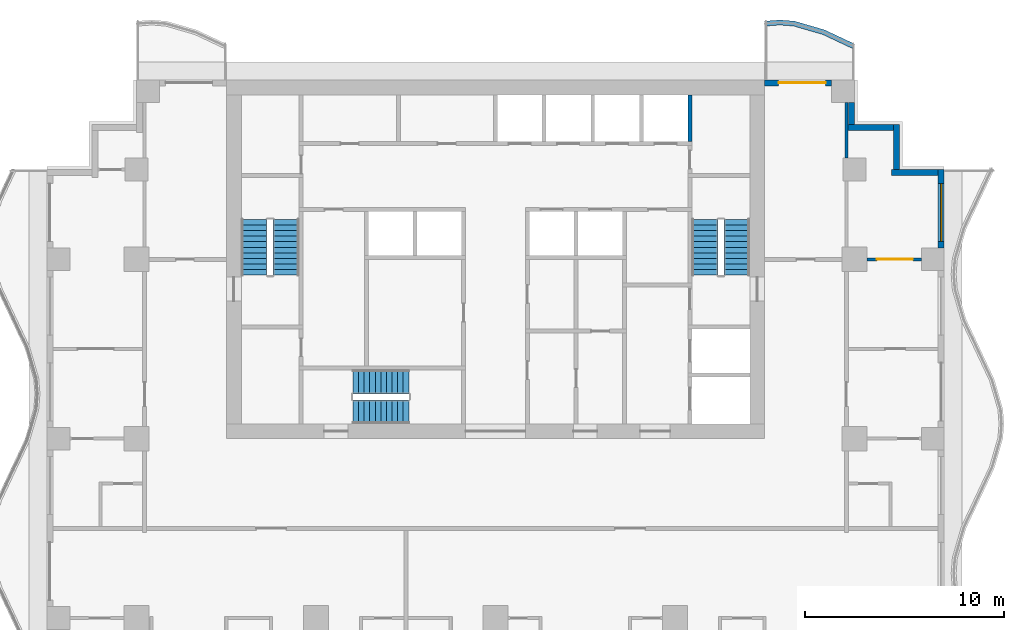
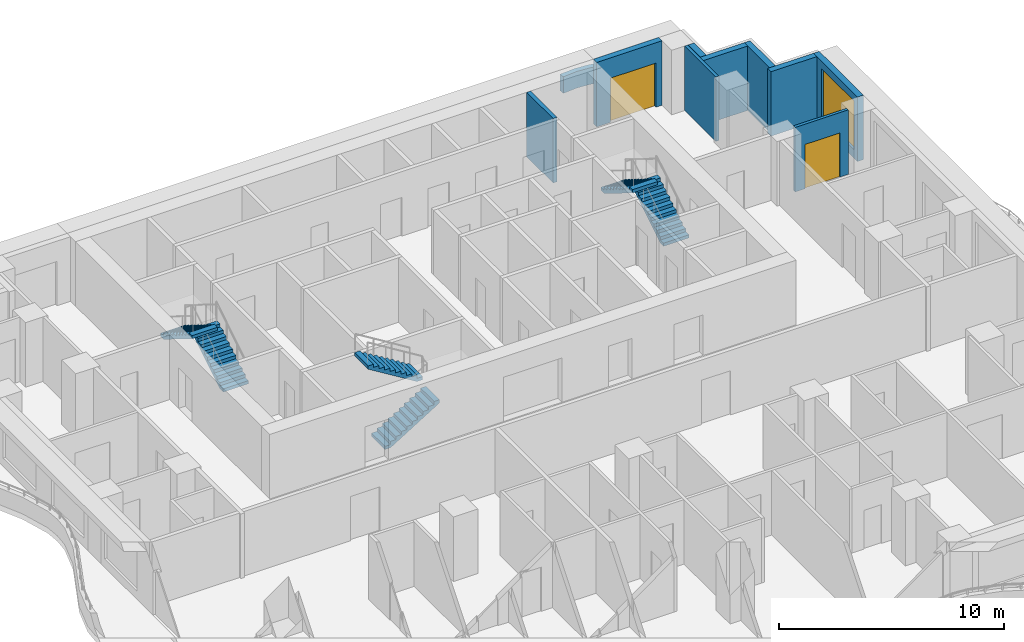
# One storey, part 6 of 10: 10 walls, 6 stair flights, 2 doors, 1 window, 3 openings, 3 elements without a shape of their own.
"""IFC4 building model written with IfcOpenShell, lengths in metres."""

from ifc_helpers import new_model, si_unit, direction, frame, frame_2d, origin, place, context, subcontext, project, spatial, polyline, rectangle, outline, extrude, material, layer, layer_set, type_object, element, fill, aggregate, save


model = new_model("IFC4")

# Units and contexts
model_context = context("Model", 3, precision=1e-05, world=origin(), true_north=direction((0.0, 1.0)))
body_context = subcontext(model_context, "Body", "Model", "MODEL_VIEW")
ifc_project = project(units=[si_unit("LENGTHUNIT", "METRE"), si_unit("AREAUNIT", "SQUARE_METRE"), si_unit("VOLUMEUNIT", "CUBIC_METRE"), si_unit("PLANEANGLEUNIT", "RADIAN"), si_unit("MASSUNIT", "GRAM", prefix="KILO")], contexts=[model_context])

# Site, building, storey
site_placement = place(None, origin())
site = spatial("IfcSite", under=ifc_project, at=site_placement, CompositionType="ELEMENT")
building_placement = place(site_placement, origin())
building = spatial("IfcBuilding", under=site, at=building_placement, Name="Orbiselva Terraces", CompositionType="ELEMENT")
storey_placement = place(building_placement, frame((0.0, 0.0, 144.0)))
storey = spatial("IfcBuildingStorey", under=building, at=storey_placement, Name="L36", CompositionType="ELEMENT", Elevation=144.0)

# Walls
ifc_material_1 = material(Name="Concrete C40/50", Category="concrete")
ifc_layer_1 = layer(ifc_material_1, 0.2)
ifc_layer_set_1 = layer_set([ifc_layer_1], Name="Concrete C40/50")
wall_type_1 = type_object("IfcWallType", Name="CORE-WALL-SHAFT-200", PredefinedType="PARTITIONING", material=ifc_layer_set_1)
wall_1_placement = place(storey_placement, frame((9.75, 19.4, 0.0), z_axis=(0.0, 0.0, 1.0), x_axis=(0.0, 1.0, 0.0)))
element("IfcWall", 1, at=wall_1_placement, inside=storey, type_object=wall_type_1, Name="L36 core wall 47", PredefinedType="PARTITIONING", context=body_context, shape_type="SweptSolid", body=[
    extrude(rectangle(XDim=2.35, YDim=0.2, at=frame_2d((1.175, 0.0))), origin(), (0.0, 0.0, 1.0), 3.5),
])
ifc_layer_2 = layer(ifc_material_1, 0.25)
ifc_layer_set_2 = layer_set([ifc_layer_2], Name="Concrete C40/50")
wall_type_2 = type_object("IfcWallType", Name="ENV-PLANTER-250x900", PredefinedType="USERDEFINED", material=ifc_layer_set_2)
wall_2_placement = place(storey_placement, origin())
element("IfcWall", 2, at=wall_2_placement, inside=storey, type_object=wall_type_2, Name="Balcony planter L36 NE", ObjectType="PLANTER", PredefinedType="USERDEFINED", context=body_context, shape_type="SweptSolid", body=[
    extrude(outline(polyline([(18.0, 24.3), (16.5, 25.005342), (15.0, 25.441268), (14.25, 25.5), (13.5, 25.441268), (13.519518, 25.192031), (14.25, 25.249235), (14.954886, 25.194035), (16.411382, 24.770753), (17.893617, 24.073764), (18.0, 24.3)])), origin(), (0.0, 0.0, 1.0), 0.9),
])

# Wall, opening, window
ifc_material_2 = material(Name="Terracotta cladding on masonry backing", Category="masonry")
ifc_layer_3 = layer(ifc_material_2, 0.3)
ifc_layer_set_3 = layer_set([ifc_layer_3], Name="Terracotta cladding on masonry backing")
wall_type_3 = type_object("IfcWallType", Name="ENV-WALL-TERRACOTTA-300", PredefinedType="SOLIDWALL", material=ifc_layer_set_3)
wall_3_placement = place(storey_placement, frame((22.35, 18.0, 0.0), z_axis=(0.0, 0.0, 1.0), x_axis=(0.0, -1.0, 0.0)))
wall_3 = element("IfcWall", 3, at=wall_3_placement, inside=storey, type_object=wall_type_3, Name="Facade wall L36 E", PredefinedType="SOLIDWALL", context=body_context, shape_type="SweptSolid", body=[
    extrude(rectangle(XDim=3.925, YDim=0.3, at=frame_2d((1.9625, 0.0))), origin(), (0.0, 0.0, 1.0), 3.5),
])
opening_1_placement = place(wall_3_placement, frame((0.7, 0.0, 0.45)))
opening_1 = element("IfcOpeningElement", 4, at=opening_1_placement, cuts=wall_3, Name="Opening WN8", PredefinedType="OPENING", context=body_context, shape_type="SweptSolid", body=[
    extrude(rectangle(XDim=2.9, YDim=2.65, at=frame_2d((1.45, 1.325))), frame((0.0, 0.16, 0.0), z_axis=(0.0, -1.0, 0.0), x_axis=(1.0, 0.0, 0.0)), (0.0, 0.0, 1.0), 0.32),
])
ifc_material_3 = material(Name="Clear low-e glazing in aluminium frame", Category="aluminium")
window_type = type_object("IfcWindowType", Name="WINDOW 2900 X 2650 S450", PartitioningType="TRIPLE_PANEL_VERTICAL", PredefinedType="WINDOW", material=ifc_material_3)
window_placement = place(opening_1_placement, origin())
window = element("IfcWindow", 5, at=window_placement, inside=storey, type_object=window_type, Name="Window L36 E", OverallHeight=2.65, OverallWidth=2.9, PartitioningType="SINGLE_PANEL", PredefinedType="WINDOW", context=body_context, shape_type="SweptSolid", body=[
    extrude(rectangle(XDim=2.9, YDim=2.65, at=frame_2d((1.45, 1.325))), frame((0.0, 0.03, 0.0), z_axis=(0.0, -1.0, 0.0), x_axis=(1.0, 0.0, 0.0)), (0.0, 0.0, 1.0), 0.06),
])
fill(opening_1, window)

# Walls
wall_4_placement = place(storey_placement, frame((19.85, 17.85, 0.0), z_axis=(0.0, 0.0, 1.0), x_axis=(1.0, 0.0, 0.0)))
element("IfcWall", 6, at=wall_4_placement, inside=storey, type_object=wall_type_3, Name="Facade wall L36 STEP", PredefinedType="SOLIDWALL", context=body_context, shape_type="SweptSolid", body=[
    extrude(rectangle(XDim=2.35, YDim=0.3, at=frame_2d((1.175, 0.0))), origin(), (0.0, 0.0, 1.0), 3.5),
])
wall_5_placement = place(storey_placement, frame((20.1, 20.25, 0.0), z_axis=(0.0, 0.0, 1.0), x_axis=(0.0, -1.0, 0.0)))
element("IfcWall", 7, at=wall_5_placement, inside=storey, type_object=wall_type_3, Name="Facade wall L36 STEP", PredefinedType="SOLIDWALL", context=body_context, shape_type="SweptSolid", body=[
    extrude(rectangle(XDim=2.25, YDim=0.3, at=frame_2d((1.125, 0.0))), origin(), (0.0, 0.0, 1.0), 3.5),
])
wall_6_placement = place(storey_placement, frame((17.6, 20.1, 0.0), z_axis=(0.0, 0.0, 1.0), x_axis=(1.0, 0.0, 0.0)))
element("IfcWall", 8, at=wall_6_placement, inside=storey, type_object=wall_type_3, Name="Facade wall L36 STEP", PredefinedType="SOLIDWALL", context=body_context, shape_type="SweptSolid", body=[
    extrude(rectangle(XDim=2.35, YDim=0.3, at=frame_2d((1.175, 0.0))), origin(), (0.0, 0.0, 1.0), 3.5),
])
wall_7_placement = place(storey_placement, frame((17.85, 21.35, 0.0), z_axis=(0.0, 0.0, 1.0), x_axis=(0.0, -1.0, 0.0)))
element("IfcWall", 9, at=wall_7_placement, inside=storey, type_object=wall_type_3, Name="Facade wall L36 STEP", PredefinedType="SOLIDWALL", context=body_context, shape_type="SweptSolid", body=[
    extrude(rectangle(XDim=1.1, YDim=0.3, at=frame_2d((0.55, 0.0))), origin(), (0.0, 0.0, 1.0), 3.5),
])

# Wall, opening, door
wall_8_placement = place(storey_placement, frame((13.5, 22.35, 0.0), z_axis=(0.0, 0.0, 1.0), x_axis=(1.0, 0.0, 0.0)))
wall_8 = element("IfcWall", 10, at=wall_8_placement, inside=storey, type_object=wall_type_3, Name="Facade wall L36 NE", PredefinedType="SOLIDWALL", context=body_context, shape_type="SweptSolid", body=[
    extrude(rectangle(XDim=3.35, YDim=0.3, at=frame_2d((1.675, 0.0))), origin(), (0.0, 0.0, 1.0), 3.5),
])
opening_2_placement = place(wall_8_placement, frame((0.7, 0.0, 0.0)))
opening_2 = element("IfcOpeningElement", 11, at=opening_2_placement, cuts=wall_8, Name="Opening Z3-B-E17", PredefinedType="OPENING", context=body_context, shape_type="SweptSolid", body=[
    extrude(rectangle(XDim=2.35, YDim=2.4, at=frame_2d((1.175, 1.2))), frame((0.0, 0.16, 0.0), z_axis=(0.0, -1.0, 0.0), x_axis=(1.0, 0.0, 0.0)), (0.0, 0.0, 1.0), 0.32),
])
door_type_1 = type_object("IfcDoorType", Name="BALCONY DOOR 2350 X 2400", OperationType="DOUBLE_DOOR_SLIDING", PredefinedType="DOOR", material=ifc_material_3)
door_1_placement = place(opening_2_placement, origin())
door_1 = element("IfcDoor", 12, at=door_1_placement, inside=storey, type_object=door_type_1, Name="Z3-B-E17", OperationType="SINGLE_SWING_LEFT", OverallHeight=2.4, OverallWidth=2.35, PredefinedType="DOOR", context=body_context, shape_type="SweptSolid", body=[
    extrude(rectangle(XDim=2.35, YDim=2.4, at=frame_2d((1.175, 1.2))), frame((0.0, 0.025, 0.0), z_axis=(0.0, -1.0, 0.0), x_axis=(1.0, 0.0, 0.0)), (0.0, 0.0, 1.0), 0.05),
])
fill(opening_2, door_1)

ifc_material_4 = material(Name="Plasterboard on steel stud partition", Category="steel")
ifc_layer_4 = layer(ifc_material_4, 0.15)
ifc_layer_set_4 = layer_set([ifc_layer_4], Name="Plasterboard on steel stud partition")
wall_type_4 = type_object("IfcWallType", Name="UNIT-PARTITION-150", PredefinedType="PARTITIONING", material=ifc_layer_set_4)
wall_9_placement = place(storey_placement, frame((18.625, 13.5, 0.0), z_axis=(0.0, 0.0, 1.0), x_axis=(1.0, 0.0, 0.0)))
wall_9 = element("IfcWall", 13, at=wall_9_placement, inside=storey, type_object=wall_type_4, Name="PARTITION L36-038", PredefinedType="PARTITIONING", context=body_context, shape_type="SweptSolid", body=[
    extrude(rectangle(XDim=2.725, YDim=0.15, at=frame_2d((1.3625, 0.0))), origin(), (0.0, 0.0, 1.0), 3.5),
])
opening_3_placement = place(wall_9_placement, frame((0.5, 0.0, 0.0)))
opening_3 = element("IfcOpeningElement", 14, at=opening_3_placement, cuts=wall_9, Name="Opening Z3-B-12", PredefinedType="OPENING", context=body_context, shape_type="SweptSolid", body=[
    extrude(rectangle(XDim=1.8, YDim=2.4, at=frame_2d((0.9, 1.2))), frame((0.0, 0.085, 0.0), z_axis=(0.0, -1.0, 0.0), x_axis=(1.0, 0.0, 0.0)), (0.0, 0.0, 1.0), 0.17),
])
ifc_material_5 = material(Name="Painted timber door leaf", Category="wood")
door_type_2 = type_object("IfcDoorType", Name="DOUBLE DOOR 1800", OperationType="NOTDEFINED", PredefinedType="DOOR", material=ifc_material_5)
door_2_placement = place(opening_3_placement, origin())
door_2 = element("IfcDoor", 15, at=door_2_placement, inside=storey, type_object=door_type_2, Name="Z3-B-12", OperationType="DOUBLE_DOOR_SINGLE_SWING", OverallHeight=2.4, OverallWidth=1.8, PredefinedType="DOOR", context=body_context, shape_type="SweptSolid", body=[
    extrude(rectangle(XDim=1.8, YDim=2.4, at=frame_2d((0.9, 1.2))), frame((0.0, 0.025, 0.0), z_axis=(0.0, -1.0, 0.0), x_axis=(1.0, 0.0, 0.0)), (0.0, 0.0, 1.0), 0.05),
])
fill(opening_3, door_2)

# Wall
wall_10_placement = place(storey_placement, frame((17.6, 18.575, 0.0), z_axis=(0.0, 0.0, 1.0), x_axis=(0.0, 1.0, 0.0)))
element("IfcWall", 16, at=wall_10_placement, inside=storey, type_object=wall_type_4, Name="PARTITION L36-067", PredefinedType="PARTITIONING", context=body_context, shape_type="SweptSolid", body=[
    extrude(rectangle(XDim=2.775, YDim=0.15, at=frame_2d((1.3875, 0.0))), origin(), (0.0, 0.0, 1.0), 3.5),
])

# Stair, stair flights
stair_type_1 = type_object("IfcStairType", Name="CORE-STAIR-1200", PredefinedType="HALF_TURN_STAIR", material=ifc_material_1)
stair_1_placement = place(storey_placement, origin())
stair_1 = element("IfcStair", 17, at=stair_1_placement, inside=storey, type_object=stair_type_1, Name="L36 Exit Stair S3", PredefinedType="HALF_TURN_STAIR")
stair_flight_type_1 = type_object("IfcStairFlightType", Name="CORE-STAIR-FLIGHT-1200", PredefinedType="STRAIGHT", material=ifc_material_1)
stair_flight_1_placement = place(storey_placement, frame((-7.15, 5.85, 0.0), z_axis=(0.0, 0.0, 1.0), x_axis=(1.0, 0.0, 0.0)))
stair_flight_1 = element("IfcStairFlight", 18, at=stair_flight_1_placement, type_object=stair_flight_type_1, Name="S3 flight 1", NumberOfRisers=11, NumberOfTreads=10, PredefinedType="STRAIGHT", RiserHeight=0.172727273, TreadLength=0.28, context=body_context, shape_type="SweptSolid", body=[
    extrude(outline(polyline([(0.0, 0.0), (0.0, 0.172727), (0.28, 0.172727), (0.28, 0.345455), (0.56, 0.345455), (0.56, 0.518182), (0.84, 0.518182), (0.84, 0.690909), (1.12, 0.690909), (1.12, 0.863636), (1.4, 0.863636), (1.4, 1.036364), (1.68, 1.036364), (1.68, 1.209091), (1.96, 1.209091), (1.96, 1.381818), (2.24, 1.381818), (2.24, 1.554545), (2.52, 1.554545), (2.52, 1.727273), (2.8, 1.727273), (2.8, 1.9), (2.8, 1.551028), (0.285702, 0.0), (0.0, 0.0)])), frame((0.0, 0.6, 0.0), z_axis=(0.0, -1.0, 0.0), x_axis=(1.0, 0.0, 0.0)), (0.0, 0.0, 1.0), 1.2),
])
stair_flight_2_placement = place(storey_placement, frame((-4.35, 7.35, 1.9), z_axis=(0.0, 0.0, 1.0), x_axis=(-1.0, 0.0, 0.0)))
stair_flight_2 = element("IfcStairFlight", 19, at=stair_flight_2_placement, type_object=stair_flight_type_1, Name="S3 flight 2", NumberOfRisers=11, NumberOfTreads=10, PredefinedType="STRAIGHT", RiserHeight=0.172727273, TreadLength=0.28, context=body_context, shape_type="SweptSolid", body=[
    extrude(outline(polyline([(0.0, 0.0), (0.0, 0.172727), (0.28, 0.172727), (0.28, 0.345455), (0.56, 0.345455), (0.56, 0.518182), (0.84, 0.518182), (0.84, 0.690909), (1.12, 0.690909), (1.12, 0.863636), (1.4, 0.863636), (1.4, 1.036364), (1.68, 1.036364), (1.68, 1.209091), (1.96, 1.209091), (1.96, 1.381818), (2.24, 1.381818), (2.24, 1.554545), (2.52, 1.554545), (2.52, 1.727273), (2.8, 1.727273), (2.8, 1.9), (2.8, 1.551028), (0.285702, 0.0), (0.0, 0.0)])), frame((0.0, 0.6, 0.0), z_axis=(0.0, -1.0, 0.0), x_axis=(1.0, 0.0, 0.0)), (0.0, 0.0, 1.0), 1.2),
])
aggregate(stair_1, [stair_flight_1, stair_flight_2])

stair_type_2 = type_object("IfcStairType", Name="CORE-STAIR-1300", PredefinedType="HALF_TURN_STAIR", material=ifc_material_1)
stair_2_placement = place(storey_placement, origin())
stair_2 = element("IfcStair", 20, at=stair_2_placement, inside=storey, type_object=stair_type_2, Name="L36 Exit Stair S1", PredefinedType="HALF_TURN_STAIR")
stair_flight_type_2 = type_object("IfcStairFlightType", Name="CORE-STAIR-FLIGHT-1300", PredefinedType="STRAIGHT", material=ifc_material_1)
stair_flight_3_placement = place(storey_placement, frame((-10.5, 12.7, 0.0), z_axis=(0.0, 0.0, 1.0), x_axis=(0.0, 1.0, 0.0)))
stair_flight_3 = element("IfcStairFlight", 21, at=stair_flight_3_placement, type_object=stair_flight_type_2, Name="S1 flight 1", NumberOfRisers=11, NumberOfTreads=10, PredefinedType="STRAIGHT", RiserHeight=0.172727273, TreadLength=0.28, context=body_context, shape_type="SweptSolid", body=[
    extrude(outline(polyline([(0.0, 0.0), (0.0, 0.172727), (0.28, 0.172727), (0.28, 0.345455), (0.56, 0.345455), (0.56, 0.518182), (0.84, 0.518182), (0.84, 0.690909), (1.12, 0.690909), (1.12, 0.863636), (1.4, 0.863636), (1.4, 1.036364), (1.68, 1.036364), (1.68, 1.209091), (1.96, 1.209091), (1.96, 1.381818), (2.24, 1.381818), (2.24, 1.554545), (2.52, 1.554545), (2.52, 1.727273), (2.8, 1.727273), (2.8, 1.9), (2.8, 1.551028), (0.285702, 0.0), (0.0, 0.0)])), frame((0.0, 0.65, 0.0), z_axis=(0.0, -1.0, 0.0), x_axis=(1.0, 0.0, 0.0)), (0.0, 0.0, 1.0), 1.3),
])
stair_flight_4_placement = place(storey_placement, frame((-12.1, 15.5, 1.9), z_axis=(0.0, 0.0, 1.0), x_axis=(0.0, -1.0, 0.0)))
stair_flight_4 = element("IfcStairFlight", 22, at=stair_flight_4_placement, type_object=stair_flight_type_2, Name="S1 flight 2", NumberOfRisers=11, NumberOfTreads=10, PredefinedType="STRAIGHT", RiserHeight=0.172727273, TreadLength=0.28, context=body_context, shape_type="SweptSolid", body=[
    extrude(outline(polyline([(0.0, 0.0), (0.0, 0.172727), (0.28, 0.172727), (0.28, 0.345455), (0.56, 0.345455), (0.56, 0.518182), (0.84, 0.518182), (0.84, 0.690909), (1.12, 0.690909), (1.12, 0.863636), (1.4, 0.863636), (1.4, 1.036364), (1.68, 1.036364), (1.68, 1.209091), (1.96, 1.209091), (1.96, 1.381818), (2.24, 1.381818), (2.24, 1.554545), (2.52, 1.554545), (2.52, 1.727273), (2.8, 1.727273), (2.8, 1.9), (2.8, 1.551028), (0.285702, 0.0), (0.0, 0.0)])), frame((0.0, 0.65, 0.0), z_axis=(0.0, -1.0, 0.0), x_axis=(1.0, 0.0, 0.0)), (0.0, 0.0, 1.0), 1.3),
])
aggregate(stair_2, [stair_flight_3, stair_flight_4])

stair_3_placement = place(storey_placement, origin())
stair_3 = element("IfcStair", 23, at=stair_3_placement, inside=storey, type_object=stair_type_2, Name="L36 Exit Stair S2", PredefinedType="HALF_TURN_STAIR")
stair_flight_5_placement = place(storey_placement, frame((12.1, 12.7, 0.0), z_axis=(0.0, 0.0, 1.0), x_axis=(0.0, 1.0, 0.0)))
stair_flight_5 = element("IfcStairFlight", 24, at=stair_flight_5_placement, type_object=stair_flight_type_2, Name="S2 flight 1", NumberOfRisers=11, NumberOfTreads=10, PredefinedType="STRAIGHT", RiserHeight=0.172727273, TreadLength=0.28, context=body_context, shape_type="SweptSolid", body=[
    extrude(outline(polyline([(0.0, 0.0), (0.0, 0.172727), (0.28, 0.172727), (0.28, 0.345455), (0.56, 0.345455), (0.56, 0.518182), (0.84, 0.518182), (0.84, 0.690909), (1.12, 0.690909), (1.12, 0.863636), (1.4, 0.863636), (1.4, 1.036364), (1.68, 1.036364), (1.68, 1.209091), (1.96, 1.209091), (1.96, 1.381818), (2.24, 1.381818), (2.24, 1.554545), (2.52, 1.554545), (2.52, 1.727273), (2.8, 1.727273), (2.8, 1.9), (2.8, 1.551028), (0.285702, 0.0), (0.0, 0.0)])), frame((0.0, 0.65, 0.0), z_axis=(0.0, -1.0, 0.0), x_axis=(1.0, 0.0, 0.0)), (0.0, 0.0, 1.0), 1.3),
])
stair_flight_6_placement = place(storey_placement, frame((10.5, 15.5, 1.9), z_axis=(0.0, 0.0, 1.0), x_axis=(0.0, -1.0, 0.0)))
stair_flight_6 = element("IfcStairFlight", 25, at=stair_flight_6_placement, type_object=stair_flight_type_2, Name="S2 flight 2", NumberOfRisers=11, NumberOfTreads=10, PredefinedType="STRAIGHT", RiserHeight=0.172727273, TreadLength=0.28, context=body_context, shape_type="SweptSolid", body=[
    extrude(outline(polyline([(0.0, 0.0), (0.0, 0.172727), (0.28, 0.172727), (0.28, 0.345455), (0.56, 0.345455), (0.56, 0.518182), (0.84, 0.518182), (0.84, 0.690909), (1.12, 0.690909), (1.12, 0.863636), (1.4, 0.863636), (1.4, 1.036364), (1.68, 1.036364), (1.68, 1.209091), (1.96, 1.209091), (1.96, 1.381818), (2.24, 1.381818), (2.24, 1.554545), (2.52, 1.554545), (2.52, 1.727273), (2.8, 1.727273), (2.8, 1.9), (2.8, 1.551028), (0.285702, 0.0), (0.0, 0.0)])), frame((0.0, 0.65, 0.0), z_axis=(0.0, -1.0, 0.0), x_axis=(1.0, 0.0, 0.0)), (0.0, 0.0, 1.0), 1.3),
])
aggregate(stair_3, [stair_flight_5, stair_flight_6])

save(model, "model.ifc")
